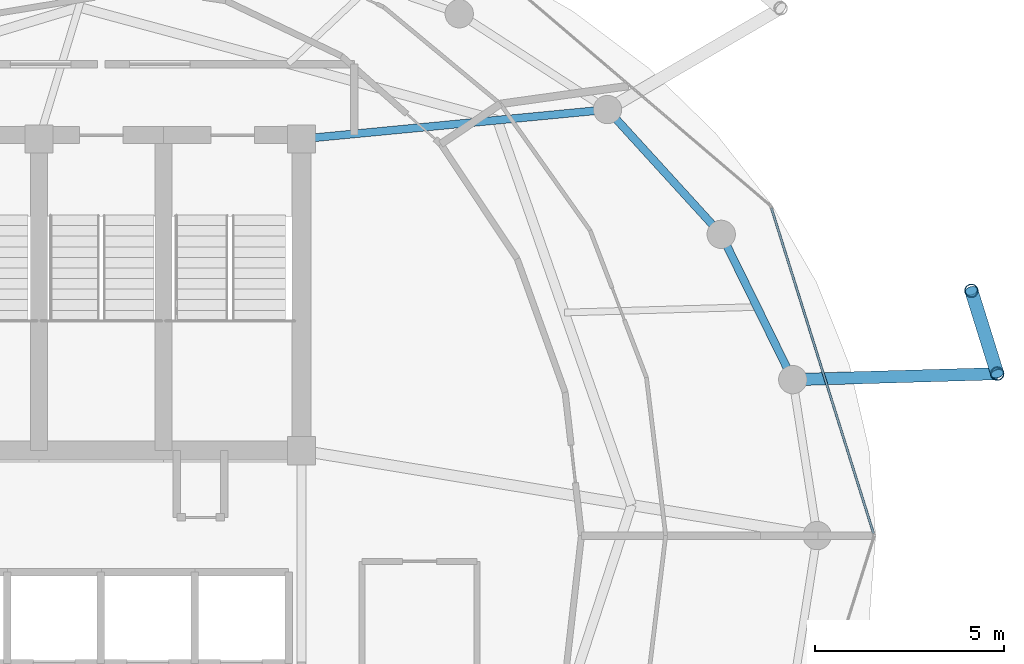
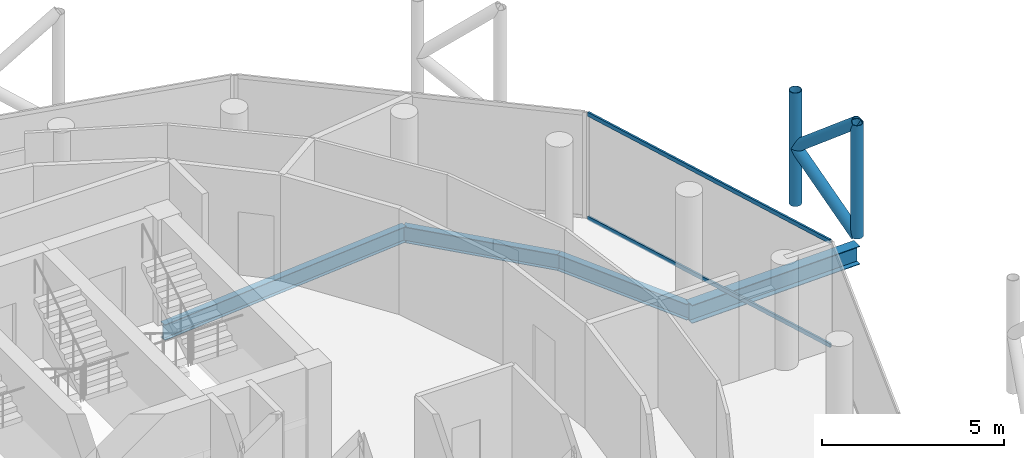
# One storey, part 13 of 24: 6 members, 4 beams, 1 element without a shape of its own.
"""IFC4 building model written with IfcOpenShell, lengths in metres."""

import ifcopenshell
import ifcopenshell.guid

model = None  # the IFC model being written
_history = None  # IfcOwnerHistory: only IFC2X3 demands one
_inside = {}  # id of a spatial element -> (the spatial element, [elements in it])
_under = {}  # id of a project, library or spatial element -> (it, [spatial elements below it])
_declared = {}  # id of a project -> (the project, [libraries it declares])
_typed = {}  # id of a type object -> (the type object, [elements of that type])
_made_of = {}  # id of a material, layer set ... -> (it, [elements and type objects made of it])


def new_model(schema):
    """Start an empty IFC model of exactly this schema.

    Asked for "IFC4X3", IfcOpenShell would pick the latest addendum, in which some entities
    have other attributes; the version numbers below select the first issue.
    IFC2X3 requires an IfcOwnerHistory on every rooted entity: one is made here for all.
    """
    global model, _history
    if schema == "IFC4X3":
        model = ifcopenshell.file(schema_version=(4, 3, 0, 0))
    else:
        model = ifcopenshell.file(schema=schema)
    _inside.clear()
    _under.clear()
    _declared.clear()
    _typed.clear()
    _made_of.clear()
    _history = None
    if model.schema == "IFC2X3":
        org = make("IfcOrganization", Name="unknown")
        user = make(
            "IfcPersonAndOrganization",
            ThePerson=make("IfcPerson", FamilyName="unknown"),
            TheOrganization=org,
        )
        app = make(
            "IfcApplication",
            ApplicationDeveloper=org,
            Version="unknown",
            ApplicationFullName="unknown",
            ApplicationIdentifier="unknown",
        )
        _history = make(
            "IfcOwnerHistory",
            OwningUser=user,
            OwningApplication=app,
            ChangeAction="ADDED",
            CreationDate=0,
        )
    return model


def make(cls, **values):
    """One entity of the class cls with the attributes given. An attribute that is None is left unset."""
    return model.create_entity(
        cls, **{name: value for name, value in values.items() if value is not None}
    )


def rooted(cls, **values):
    """An entity with a GlobalId (a new one), such as an element, a storey or a relation."""
    return make(cls, GlobalId=ifcopenshell.guid.new(), OwnerHistory=_history, **values)


def si_unit(unit_type, name, prefix=None):
    """IfcSIUnit, for example si_unit("LENGTHUNIT", "METRE", prefix="MILLI")."""
    return make("IfcSIUnit", UnitType=unit_type, Prefix=prefix, Name=name)


def assignment(units):
    """IfcUnitAssignment: the units of a project."""
    return None if units is None else make("IfcUnitAssignment", Units=units)


def point(xyz):
    """IfcCartesianPoint."""
    return None if xyz is None else make("IfcCartesianPoint", Coordinates=xyz)


def direction(xyz):
    """IfcDirection."""
    return None if xyz is None else make("IfcDirection", DirectionRatios=xyz)


def frame(location, z_axis=None, x_axis=None):
    """IfcAxis2Placement3D, a coordinate frame: its origin and axes. An axis left out is left unset."""
    return make(
        "IfcAxis2Placement3D",
        Location=point(location),
        Axis=direction(z_axis),
        RefDirection=direction(x_axis),
    )


def frame_2d(location, x_axis=None):
    """IfcAxis2Placement2D, a coordinate frame in the plane: its origin and x axis."""
    return make(
        "IfcAxis2Placement2D", Location=point(location), RefDirection=direction(x_axis)
    )


def origin():
    """The frame at (0, 0, 0) with its axes left unset."""
    return frame((0.0, 0.0, 0.0))


def origin_2d():
    """The frame at (0, 0) in the plane with its x axis left unset."""
    return frame_2d((0.0, 0.0))


def place(relative_to, where):
    """IfcLocalPlacement: puts the frame where relative to a parent placement (None: the world)."""
    return make(
        "IfcLocalPlacement", PlacementRelTo=relative_to, RelativePlacement=where
    )


def context(
    kind, dimensions, precision=None, world=None, true_north=None, identifier=None
):
    """IfcGeometricRepresentationContext, for example the 3D "Model" context."""
    return make(
        "IfcGeometricRepresentationContext",
        ContextIdentifier=identifier,
        ContextType=kind,
        CoordinateSpaceDimension=dimensions,
        Precision=precision,
        WorldCoordinateSystem=world,
        TrueNorth=true_north,
    )


def subcontext(parent, identifier, kind, view, scale=None):
    """IfcGeometricRepresentationSubContext, for example "Body" below "Model"."""
    return make(
        "IfcGeometricRepresentationSubContext",
        ContextIdentifier=identifier,
        ContextType=kind,
        ParentContext=parent,
        TargetScale=scale,
        TargetView=view,
    )


def project(units=None, contexts=None):
    """IfcProject with its units and contexts."""
    return rooted(
        "IfcProject",
        Name="project",
        RepresentationContexts=contexts,
        UnitsInContext=assignment(units),
    )


def spatial(cls, under=None, at=None, **own):
    """A site, building, storey or space (cls), placed at a placement, below another one or the project."""
    s = rooted(cls, ObjectPlacement=at, **own)
    if under is not None:
        _under.setdefault(under.id(), (under, []))[1].append(s)
    return s


def profile(cls, at=None, kind="AREA", **sizes):
    """A parametric profile (cls). Its sizes go by their IFC names, for example OverallWidth=200.0."""
    return make(cls, ProfileType=kind, Position=at, **sizes)


def hollow_rectangle(**sizes):
    """IfcRectangleHollowProfileDef."""
    return profile("IfcRectangleHollowProfileDef", **sizes)


def hollow_circle(**sizes):
    """IfcCircleHollowProfileDef."""
    return profile("IfcCircleHollowProfileDef", **sizes)


def i_section(**sizes):
    """IfcIShapeProfileDef."""
    return profile("IfcIShapeProfileDef", **sizes)


def extrude(swept, where, along, depth):
    """IfcExtrudedAreaSolid: the profile swept, set in the frame where, extruded along a direction by depth."""
    return make(
        "IfcExtrudedAreaSolid",
        SweptArea=swept,
        Position=where,
        ExtrudedDirection=direction(along),
        Depth=depth,
    )


def shape(context_of_items, identifier, shape_type, items):
    """IfcShapeRepresentation: the items that make up one representation, for example the "Body"."""
    return make(
        "IfcShapeRepresentation",
        ContextOfItems=context_of_items,
        RepresentationIdentifier=identifier,
        RepresentationType=shape_type,
        Items=items,
    )


def material(Name=None, Category=None):
    """IfcMaterial."""
    return make("IfcMaterial", Name=Name, Category=Category)


def layer(
    of_material, thickness, ventilated=None, Name=None, Category=None, Priority=None
):
    """IfcMaterialLayer: one layer of a wall or slab, of a material (None: an air gap)."""
    return make(
        "IfcMaterialLayer",
        Material=of_material,
        LayerThickness=thickness,
        IsVentilated=ventilated,
        Name=Name,
        Category=Category,
        Priority=Priority,
    )


def layer_set(layers, Name=None):
    """IfcMaterialLayerSet."""
    return make("IfcMaterialLayerSet", MaterialLayers=layers, LayerSetName=Name)


def material_profile(
    of_material, cross_section, Name=None, Category=None, Priority=None
):
    """IfcMaterialProfile: a cross section and its material."""
    return make(
        "IfcMaterialProfile",
        Name=Name,
        Material=of_material,
        Profile=cross_section,
        Priority=Priority,
        Category=Category,
    )


def profile_set(profiles, Name=None, composite=None):
    """IfcMaterialProfileSet."""
    return make(
        "IfcMaterialProfileSet",
        Name=Name,
        MaterialProfiles=profiles,
        CompositeProfile=composite,
    )


def made_of(thing, what):
    """Note that an element or type object is made of a material, layer set ...; save() writes the relation."""
    if what is not None:
        _made_of.setdefault(what.id(), (what, []))[1].append(thing)
    return thing


def type_object(cls, material=None, **own):
    """A type object (cls), such as IfcWallType, which elements share."""
    return made_of(rooted(cls, **own), material)


def element(
    cls,
    number,
    at=None,
    inside=None,
    cuts=None,
    type_object=None,
    material=None,
    context=None,
    identifier="Body",
    shape_type=None,
    held_by="IfcProductDefinitionShape",
    body=None,
    shapes=None,
    **own,
):
    """One element of the class cls, such as IfcWall. Its Tag is "e" and its number.

    at: its placement. inside: the storey or other place that contains it. cuts: it is an
    opening in that element (IfcRelVoidsElement). A single representation is given by context,
    identifier, shape_type and body (its items); several are given by shapes. held_by: the class
    of the entity that holds the representations. save() writes the other relations.
    """
    e = rooted(cls, Tag="e%d" % number, ObjectPlacement=at, **own)
    if body is not None:
        shapes = [shape(context, identifier, shape_type, body)]
    if shapes is not None:
        e.Representation = make(held_by, Representations=shapes)
    if inside is not None:
        _inside.setdefault(inside.id(), (inside, []))[1].append(e)
    if cuts is not None:
        rooted(
            "IfcRelVoidsElement", RelatingBuildingElement=cuts, RelatedOpeningElement=e
        )
    if type_object is not None:
        _typed.setdefault(type_object.id(), (type_object, []))[1].append(e)
    return made_of(e, material)


def aggregate(whole, parts):
    """IfcRelAggregates: a whole, such as a stair, and the parts it consists of."""
    return rooted("IfcRelAggregates", RelatingObject=whole, RelatedObjects=parts)


def save(model, path):
    """Write the relations noted so far, then the file.

    IfcRelAggregates (storeys below a building ...), IfcRelContainedInSpatialStructure (elements
    in a storey), IfcRelDefinesByType, IfcRelAssociatesMaterial and IfcRelDeclares: one each for
    every whole, place, type object, material and project.
    """
    for whole, parts in _under.values():
        aggregate(whole, parts)
    for where, things in _inside.values():
        rooted(
            "IfcRelContainedInSpatialStructure",
            RelatedElements=things,
            RelatingStructure=where,
        )
    for kind, things in _typed.values():
        rooted("IfcRelDefinesByType", RelatedObjects=things, RelatingType=kind)
    for what, things in _made_of.values():
        rooted("IfcRelAssociatesMaterial", RelatedObjects=things, RelatingMaterial=what)
    for by, libraries in _declared.values():
        rooted("IfcRelDeclares", RelatingContext=by, RelatedDefinitions=libraries)
    model.write(path)


model = new_model("IFC4")

# Units and contexts
model_context = context("Model", 3, precision=1e-05, world=origin(), true_north=direction((0.0, 1.0)))
body_context = subcontext(model_context, "Body", "Model", "MODEL_VIEW")
ifc_project = project(units=[si_unit("LENGTHUNIT", "METRE"), si_unit("AREAUNIT", "SQUARE_METRE"), si_unit("VOLUMEUNIT", "CUBIC_METRE"), si_unit("PLANEANGLEUNIT", "RADIAN"), si_unit("MASSUNIT", "GRAM", prefix="KILO")], contexts=[model_context])

# Site, building, storey
site_placement = place(None, origin())
site = spatial("IfcSite", under=ifc_project, at=site_placement, CompositionType="ELEMENT")
building_placement = place(site_placement, origin())
building = spatial("IfcBuilding", under=site, at=building_placement, Name="Nuhasar Tower", CompositionType="ELEMENT")
storey_placement = place(building_placement, frame((0.0, 0.0, 267.0)))
storey = spatial("IfcBuildingStorey", under=building, at=storey_placement, Name="L66", CompositionType="ELEMENT", Elevation=267.0)

# Beams
ifc_material_1 = material(Name="Steel S355", Category="steel")
ifc_material_profile_1 = material_profile(ifc_material_1, i_section(OverallWidth=0.208984375, OverallDepth=0.528076171875, WebThickness=0.009521484375, FlangeThickness=0.01318359375, at=origin_2d()), Name="W21X55")
ifc_profile_set_1 = profile_set([ifc_material_profile_1], Name="Steel S355")
beam_type_1 = type_object("IfcBeamType", Name="BM-RAD-W21X55", PredefinedType="BEAM", material=ifc_profile_set_1)
beam_1_placement = place(storey_placement, frame((44.300048828125, 37.300048828125, -0.52392578125), z_axis=(0.99542073054, 0.095590633496, 0.0), x_axis=(-0.095590633496, 0.99542073054, 0.0)))
element("IfcBeam", 1, at=beam_1_placement, inside=storey, type_object=beam_type_1, Name="L66 Radial Floor Girder 05", PredefinedType="BEAM", context=body_context, shape_type="SweptSolid", body=[
    extrude(i_section(OverallWidth=0.208984375, OverallDepth=0.528076171875, WebThickness=0.009521484375, FlangeThickness=0.01318359375, at=origin_2d()), origin(), (0.0, 0.0, 1.0), 8.13720703125),
])
ifc_material_profile_2 = material_profile(ifc_material_1, i_section(OverallWidth=0.2099609375, OverallDepth=0.537109375, WebThickness=0.010986328125, FlangeThickness=0.017333984375, at=origin_2d()), Name="W21X68")
ifc_profile_set_2 = profile_set([ifc_material_profile_2], Name="Steel S355")
beam_type_2 = type_object("IfcBeamType", Name="BM-RING-W21X68", PredefinedType="SPANDREL", material=ifc_profile_set_2)
beam_2_placement = place(storey_placement, frame((57.303955078125, 30.927978515625, -0.529052734375), z_axis=(-0.441533119295, 0.897244952377, 0.0), x_axis=(-0.897244952377, -0.441533119295, 0.0)))
element("IfcBeam", 2, at=beam_2_placement, inside=storey, type_object=beam_type_2, Name="L66 Perimeter Ring Spandrel 02", PredefinedType="SPANDREL", context=body_context, shape_type="SweptSolid", body=[
    extrude(i_section(OverallWidth=0.2099609375, OverallDepth=0.537109375, WebThickness=0.010986328125, FlangeThickness=0.017333984375, at=origin_2d()), origin(), (0.0, 0.0, 1.0), 4.28759765625),
])
beam_3_placement = place(storey_placement, frame((55.410888671875, 34.77490234375, -0.529052734375), z_axis=(-0.673686302939, 0.739017432293, 0.0), x_axis=(-0.739017432293, -0.673686302939, 0.0)))
element("IfcBeam", 3, at=beam_3_placement, inside=storey, type_object=beam_type_2, Name="L66 Perimeter Ring Spandrel 03", PredefinedType="SPANDREL", context=body_context, shape_type="SweptSolid", body=[
    extrude(i_section(OverallWidth=0.2099609375, OverallDepth=0.537109375, WebThickness=0.010986328125, FlangeThickness=0.017333984375, at=origin_2d()), origin(), (0.0, 0.0, 1.0), 4.469482421875),
])
ifc_material_profile_3 = material_profile(ifc_material_1, i_section(OverallWidth=0.323974609375, OverallDepth=0.611083984375, WebThickness=0.0126953125, FlangeThickness=0.01904296875, at=origin_2d()), Name="W24X104")
ifc_profile_set_3 = profile_set([ifc_material_profile_3], Name="Steel S355")
beam_type_3 = type_object("IfcBeamType", Name="BM-TIE-W24X104", PredefinedType="BEAM", material=ifc_profile_set_3)
beam_4_placement = place(storey_placement, frame((57.303955078125, 30.927978515625, -0.56494140625), z_axis=(0.999574661214, 0.029163275875, 0.0), x_axis=(-0.029163275875, 0.999574661214, 0.0)))
element("IfcBeam", 4, at=beam_4_placement, inside=storey, type_object=beam_type_3, Name="L66 Exoskeleton Node Tie Beam 01", PredefinedType="BEAM", context=body_context, shape_type="SweptSolid", body=[
    extrude(i_section(OverallWidth=0.323974609375, OverallDepth=0.611083984375, WebThickness=0.0126953125, FlangeThickness=0.01904296875, at=origin_2d()), origin(), (0.0, 0.0, 1.0), 5.416259765625),
])

# Curtain wall, members
ifc_material_2 = material(Name="Aluminium 6063-T6", Category="aluminium")
ifc_layer = layer(ifc_material_2, 0.18994140625)
ifc_layer_set = layer_set([ifc_layer], Name="Aluminium 6063-T6")
curtain_wall_type = type_object("IfcCurtainWallType", Name="CW-Z4-PEN", PredefinedType="NOTDEFINED", material=ifc_layer_set)
curtain_wall_placement = place(storey_placement, origin())
curtain_wall = element("IfcCurtainWall", 5, at=curtain_wall_placement, inside=storey, type_object=curtain_wall_type, Name="L66 Unitised Curtain Wall 01", PredefinedType="NOTDEFINED")
ifc_material_profile_4 = material_profile(ifc_material_2, hollow_rectangle(XDim=0.06005859375, YDim=0.135009765625, WallThickness=0.00439453125, at=origin_2d()), Name="CWT-5")
ifc_profile_set_4 = profile_set([ifc_material_profile_4], Name="Aluminium 6063-T6")
member_type_1 = type_object("IfcMemberType", Name="CW-TRN-S5", PredefinedType="USERDEFINED", material=ifc_profile_set_4)
member_1_placement = place(storey_placement, frame((59.442138671875, 26.857177734375, 0.030029296875), z_axis=(-0.29956014073, 0.954077419335, 0.0), x_axis=(-0.954077419335, -0.29956014073, 0.0)))
member_1 = element("IfcMember", 6, at=member_1_placement, type_object=member_type_1, Name="CW-Z4 transom 1.1", ObjectType="TRANSOM", PredefinedType="USERDEFINED", context=body_context, shape_type="SweptSolid", body=[
    extrude(hollow_rectangle(XDim=0.06005859375, YDim=0.135009765625, WallThickness=0.00439453125, at=origin_2d()), origin(), (0.0, 0.0, 1.0), 9.0302734375),
])
member_2_placement = place(storey_placement, frame((59.442138671875, 26.857177734375, 3.510009765625), z_axis=(-0.29956014073, 0.954077419335, 0.0), x_axis=(-0.954077419335, -0.29956014073, 0.0)))
member_2 = element("IfcMember", 7, at=member_2_placement, type_object=member_type_1, Name="CW-Z4 transom 1.2", ObjectType="TRANSOM", PredefinedType="USERDEFINED", context=body_context, shape_type="SweptSolid", body=[
    extrude(hollow_rectangle(XDim=0.06005859375, YDim=0.135009765625, WallThickness=0.00439453125, at=origin_2d()), origin(), (0.0, 0.0, 1.0), 9.0302734375),
])
aggregate(curtain_wall, [member_1, member_2])

# Members
ifc_material_3 = material(Name="Steel S460", Category="steel")
ifc_material_profile_5 = material_profile(ifc_material_3, hollow_circle(Radius=0.177734375, WallThickness=0.015869140625, at=origin_2d()), Name="HSS355.6X15.9")
ifc_profile_set_5 = profile_set([ifc_material_profile_5], Name="Steel S460")
member_type_2 = type_object("IfcMemberType", Name="EXO-BRONZE-356", PredefinedType="BRACE", material=ifc_profile_set_5)
for number, where, z_axis, x_axis, name in (
    (8, (62.718017578125, 31.0859375, 0.0), (0.0, 0.0, 1.0), (1.0, 0.0, 0.0), "L66 Exoskeleton Chord Column EC-01A"),
    (9, (62.032958984375, 33.281005859375, 0.0), (0.0, 0.0, 1.0), (1.0, 0.0, 0.0), "L66 Exoskeleton Chord Column EC-01B"),
):
    element("IfcMember", number, at=place(storey_placement, frame(where, z_axis=z_axis, x_axis=x_axis)), inside=storey, type_object=member_type_2, Name=name, PredefinedType="BRACE", context=body_context, shape_type="SweptSolid", body=[
        extrude(hollow_circle(Radius=0.177734375, WallThickness=0.015869140625, at=origin_2d()), origin(), (0.0, 0.0, 1.0), 3.800048828125),
    ])
for number, where, z_axis, x_axis, name in (
    (10, (62.718017578125, 31.0859375, 0.0), (-0.229667527485, 0.735901902929, 0.636946792192), (-0.954591372974, -0.297918295247, 0.0), "L66 Bronze Diagrid Brace W1-01"),
    (11, (62.032958984375, 33.281005859375, 1.89990234375), (0.22965555433, -0.735863538482, 0.636995430987), (0.954591372974, 0.297918295247, 0.0), "L66 Bronze Diagrid Brace W2-01"),
):
    element("IfcMember", number, at=place(storey_placement, frame(where, z_axis=z_axis, x_axis=x_axis)), inside=storey, type_object=member_type_2, Name=name, PredefinedType="BRACE", context=body_context, shape_type="SweptSolid", body=[
        extrude(hollow_circle(Radius=0.177734375, WallThickness=0.015869140625, at=origin_2d()), origin(), (0.0, 0.0, 1.0), 2.98291015625),
    ])

save(model, "model.ifc")
